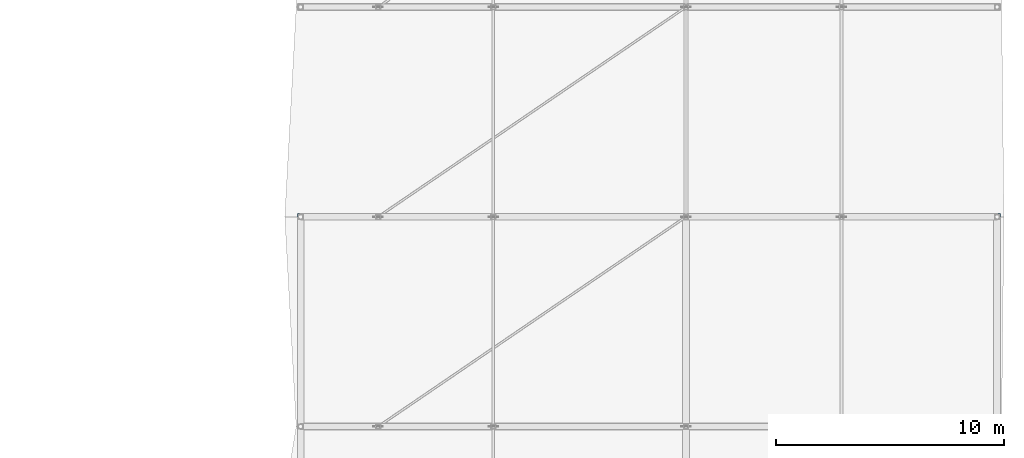
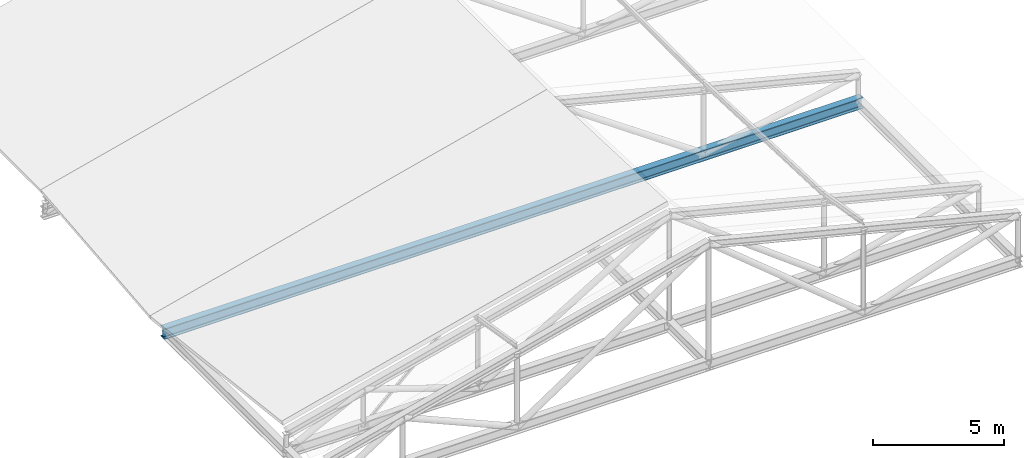
# One storey, part 31 of 56: 1 beam.
"""IFC4 building model written with IfcOpenShell, lengths in metres."""

from ifc_helpers import new_model, si_unit, direction, frame, origin, origin_2d, place, context, subcontext, project, spatial, i_section, extrude, material, material_profile, profile_set, type_object, element, save


model = new_model("IFC4")

# Units and contexts
model_context = context("Model", 3, precision=1e-05, world=origin(), true_north=direction((0.0, 1.0)))
body_context = subcontext(model_context, "Body", "Model", "MODEL_VIEW")
ifc_project = project(units=[si_unit("LENGTHUNIT", "METRE"), si_unit("AREAUNIT", "SQUARE_METRE"), si_unit("VOLUMEUNIT", "CUBIC_METRE"), si_unit("PLANEANGLEUNIT", "RADIAN"), si_unit("MASSUNIT", "GRAM", prefix="KILO")], contexts=[model_context])

# Site, building, storey
site_placement = place(None, origin())
site = spatial("IfcSite", under=ifc_project, at=site_placement, CompositionType="ELEMENT")
building_placement = place(site_placement, origin())
building = spatial("IfcBuilding", under=site, at=building_placement, Name="Bozkorgan Art Gallery", CompositionType="ELEMENT")
storey_placement = place(building_placement, frame((0.0, 0.0, 24.0)))
storey = spatial("IfcBuildingStorey", under=building, at=storey_placement, Name="L05", CompositionType="ELEMENT", Elevation=24.0)

# Beam
ifc_material = material(Name="Steel S355J2", Category="steel")
ifc_material_profile = material_profile(ifc_material, i_section(OverallWidth=0.300048828125, OverallDepth=0.5, WebThickness=0.014404296875, FlangeThickness=0.028076171875, FilletRadius=0.027099609375, at=origin_2d()), Name="HEB 500")
ifc_profile_set = profile_set([ifc_material_profile], Name="Steel S355J2")
beam_type = type_object("IfcBeamType", Name="BEAM-TO-52", PredefinedType="BEAM", material=ifc_profile_set)
beam_placement = place(storey_placement, frame((133.4599609375, 75.199951171875, 0.25), z_axis=(1.0, 0.0, 0.0), x_axis=(0.0, 1.0, 0.0)))
element("IfcBeam", 1, at=beam_placement, inside=storey, type_object=beam_type, Name="ROOF-V5-MAIN roof truss 3 bottom chord", PredefinedType="BEAM", context=body_context, shape_type="SweptSolid", body=[
    extrude(i_section(OverallWidth=0.300048828125, OverallDepth=0.5, WebThickness=0.014404296875, FlangeThickness=0.028076171875, FilletRadius=0.027099609375, at=origin_2d()), origin(), (0.0, 0.0, 1.0), 30.830078125),
])

save(model, "model.ifc")
